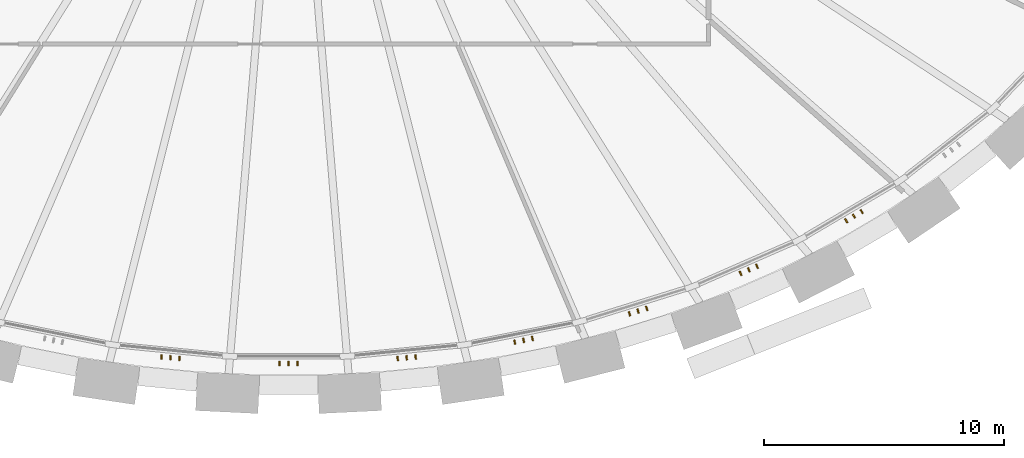
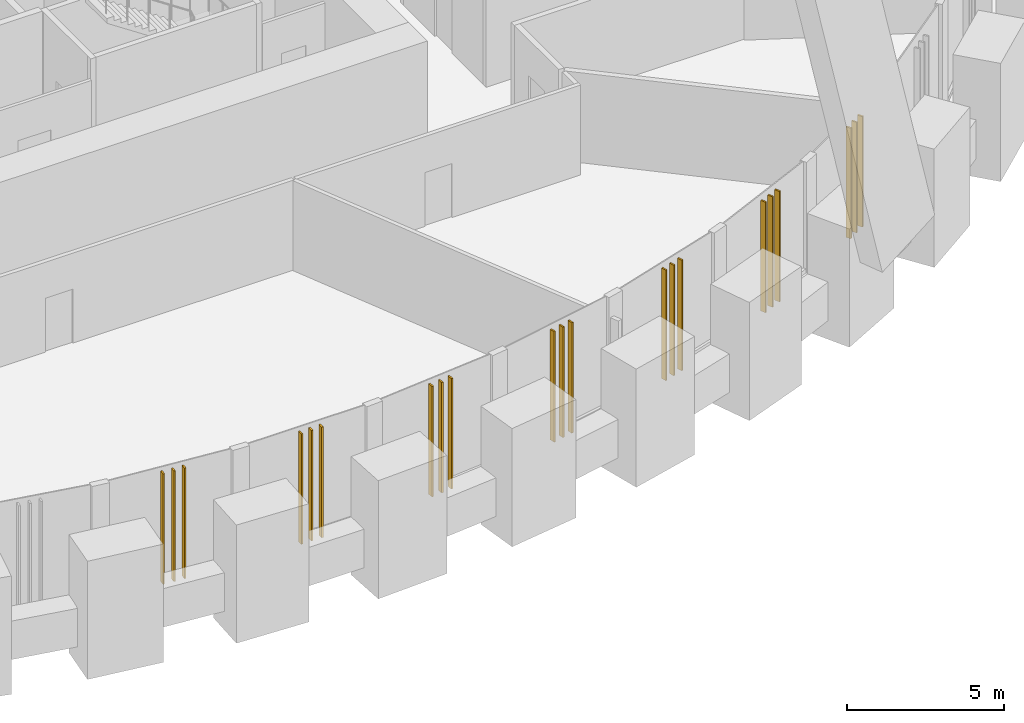
# One storey, part 13 of 21: 21 shading devices.
"""IFC4 building model written with IfcOpenShell, lengths in metres."""

import ifcopenshell
import ifcopenshell.guid

model = None  # the IFC model being written
_history = None  # IfcOwnerHistory: only IFC2X3 demands one
_inside = {}  # id of a spatial element -> (the spatial element, [elements in it])
_under = {}  # id of a project, library or spatial element -> (it, [spatial elements below it])
_declared = {}  # id of a project -> (the project, [libraries it declares])
_typed = {}  # id of a type object -> (the type object, [elements of that type])
_made_of = {}  # id of a material, layer set ... -> (it, [elements and type objects made of it])


def new_model(schema):
    """Start an empty IFC model of exactly this schema.

    Asked for "IFC4X3", IfcOpenShell would pick the latest addendum, in which some entities
    have other attributes; the version numbers below select the first issue.
    IFC2X3 requires an IfcOwnerHistory on every rooted entity: one is made here for all.
    """
    global model, _history
    if schema == "IFC4X3":
        model = ifcopenshell.file(schema_version=(4, 3, 0, 0))
    else:
        model = ifcopenshell.file(schema=schema)
    _inside.clear()
    _under.clear()
    _declared.clear()
    _typed.clear()
    _made_of.clear()
    _history = None
    if model.schema == "IFC2X3":
        org = make("IfcOrganization", Name="unknown")
        user = make(
            "IfcPersonAndOrganization",
            ThePerson=make("IfcPerson", FamilyName="unknown"),
            TheOrganization=org,
        )
        app = make(
            "IfcApplication",
            ApplicationDeveloper=org,
            Version="unknown",
            ApplicationFullName="unknown",
            ApplicationIdentifier="unknown",
        )
        _history = make(
            "IfcOwnerHistory",
            OwningUser=user,
            OwningApplication=app,
            ChangeAction="ADDED",
            CreationDate=0,
        )
    return model


def make(cls, **values):
    """One entity of the class cls with the attributes given. An attribute that is None is left unset."""
    return model.create_entity(
        cls, **{name: value for name, value in values.items() if value is not None}
    )


def rooted(cls, **values):
    """An entity with a GlobalId (a new one), such as an element, a storey or a relation."""
    return make(cls, GlobalId=ifcopenshell.guid.new(), OwnerHistory=_history, **values)


def si_unit(unit_type, name, prefix=None):
    """IfcSIUnit, for example si_unit("LENGTHUNIT", "METRE", prefix="MILLI")."""
    return make("IfcSIUnit", UnitType=unit_type, Prefix=prefix, Name=name)


def assignment(units):
    """IfcUnitAssignment: the units of a project."""
    return None if units is None else make("IfcUnitAssignment", Units=units)


def point(xyz):
    """IfcCartesianPoint."""
    return None if xyz is None else make("IfcCartesianPoint", Coordinates=xyz)


def direction(xyz):
    """IfcDirection."""
    return None if xyz is None else make("IfcDirection", DirectionRatios=xyz)


def frame(location, z_axis=None, x_axis=None):
    """IfcAxis2Placement3D, a coordinate frame: its origin and axes. An axis left out is left unset."""
    return make(
        "IfcAxis2Placement3D",
        Location=point(location),
        Axis=direction(z_axis),
        RefDirection=direction(x_axis),
    )


def frame_2d(location, x_axis=None):
    """IfcAxis2Placement2D, a coordinate frame in the plane: its origin and x axis."""
    return make(
        "IfcAxis2Placement2D", Location=point(location), RefDirection=direction(x_axis)
    )


def origin():
    """The frame at (0, 0, 0) with its axes left unset."""
    return frame((0.0, 0.0, 0.0))


def origin_2d():
    """The frame at (0, 0) in the plane with its x axis left unset."""
    return frame_2d((0.0, 0.0))


def place(relative_to, where):
    """IfcLocalPlacement: puts the frame where relative to a parent placement (None: the world)."""
    return make(
        "IfcLocalPlacement", PlacementRelTo=relative_to, RelativePlacement=where
    )


def context(
    kind, dimensions, precision=None, world=None, true_north=None, identifier=None
):
    """IfcGeometricRepresentationContext, for example the 3D "Model" context."""
    return make(
        "IfcGeometricRepresentationContext",
        ContextIdentifier=identifier,
        ContextType=kind,
        CoordinateSpaceDimension=dimensions,
        Precision=precision,
        WorldCoordinateSystem=world,
        TrueNorth=true_north,
    )


def subcontext(parent, identifier, kind, view, scale=None):
    """IfcGeometricRepresentationSubContext, for example "Body" below "Model"."""
    return make(
        "IfcGeometricRepresentationSubContext",
        ContextIdentifier=identifier,
        ContextType=kind,
        ParentContext=parent,
        TargetScale=scale,
        TargetView=view,
    )


def project(units=None, contexts=None):
    """IfcProject with its units and contexts."""
    return rooted(
        "IfcProject",
        Name="project",
        RepresentationContexts=contexts,
        UnitsInContext=assignment(units),
    )


def spatial(cls, under=None, at=None, **own):
    """A site, building, storey or space (cls), placed at a placement, below another one or the project."""
    s = rooted(cls, ObjectPlacement=at, **own)
    if under is not None:
        _under.setdefault(under.id(), (under, []))[1].append(s)
    return s


def profile(cls, at=None, kind="AREA", **sizes):
    """A parametric profile (cls). Its sizes go by their IFC names, for example OverallWidth=200.0."""
    return make(cls, ProfileType=kind, Position=at, **sizes)


def rectangle(**sizes):
    """IfcRectangleProfileDef."""
    return profile("IfcRectangleProfileDef", **sizes)


def extrude(swept, where, along, depth):
    """IfcExtrudedAreaSolid: the profile swept, set in the frame where, extruded along a direction by depth."""
    return make(
        "IfcExtrudedAreaSolid",
        SweptArea=swept,
        Position=where,
        ExtrudedDirection=direction(along),
        Depth=depth,
    )


def shape(context_of_items, identifier, shape_type, items):
    """IfcShapeRepresentation: the items that make up one representation, for example the "Body"."""
    return make(
        "IfcShapeRepresentation",
        ContextOfItems=context_of_items,
        RepresentationIdentifier=identifier,
        RepresentationType=shape_type,
        Items=items,
    )


def source(mapping_origin, context_of_items, identifier, shape_type, items):
    """IfcRepresentationMap: a shape defined once, which mapped items show again and again."""
    return make(
        "IfcRepresentationMap",
        MappingOrigin=mapping_origin,
        MappedRepresentation=shape(context_of_items, identifier, shape_type, items),
    )


def transform(
    local_origin,
    x_axis=None,
    y_axis=None,
    z_axis=None,
    scale=None,
    scale2=None,
    scale3=None,
    uniform=True,
):
    """IfcCartesianTransformationOperator3D, or its non-uniform kind. x_axis, y_axis, z_axis: its Axis1, 2, 3."""
    if uniform:
        return make(
            "IfcCartesianTransformationOperator3D",
            Axis1=direction(x_axis),
            Axis2=direction(y_axis),
            LocalOrigin=point(local_origin),
            Scale=scale,
            Axis3=direction(z_axis),
        )
    return make(
        "IfcCartesianTransformationOperator3DnonUniform",
        Axis1=direction(x_axis),
        Axis2=direction(y_axis),
        LocalOrigin=point(local_origin),
        Scale=scale,
        Axis3=direction(z_axis),
        Scale2=scale2,
        Scale3=scale3,
    )


def mapped(mapping_source, mapping_target):
    """IfcMappedItem: shows the shape of a source again, moved by a transform."""
    return make(
        "IfcMappedItem", MappingSource=mapping_source, MappingTarget=mapping_target
    )


def material(Name=None, Category=None):
    """IfcMaterial."""
    return make("IfcMaterial", Name=Name, Category=Category)


def material_profile(
    of_material, cross_section, Name=None, Category=None, Priority=None
):
    """IfcMaterialProfile: a cross section and its material."""
    return make(
        "IfcMaterialProfile",
        Name=Name,
        Material=of_material,
        Profile=cross_section,
        Priority=Priority,
        Category=Category,
    )


def profile_set(profiles, Name=None, composite=None):
    """IfcMaterialProfileSet."""
    return make(
        "IfcMaterialProfileSet",
        Name=Name,
        MaterialProfiles=profiles,
        CompositeProfile=composite,
    )


def made_of(thing, what):
    """Note that an element or type object is made of a material, layer set ...; save() writes the relation."""
    if what is not None:
        _made_of.setdefault(what.id(), (what, []))[1].append(thing)
    return thing


def type_object(cls, material=None, **own):
    """A type object (cls), such as IfcWallType, which elements share."""
    return made_of(rooted(cls, **own), material)


def element(
    cls,
    number,
    at=None,
    inside=None,
    cuts=None,
    type_object=None,
    material=None,
    context=None,
    identifier="Body",
    shape_type=None,
    held_by="IfcProductDefinitionShape",
    body=None,
    shapes=None,
    **own,
):
    """One element of the class cls, such as IfcWall. Its Tag is "e" and its number.

    at: its placement. inside: the storey or other place that contains it. cuts: it is an
    opening in that element (IfcRelVoidsElement). A single representation is given by context,
    identifier, shape_type and body (its items); several are given by shapes. held_by: the class
    of the entity that holds the representations. save() writes the other relations.
    """
    e = rooted(cls, Tag="e%d" % number, ObjectPlacement=at, **own)
    if body is not None:
        shapes = [shape(context, identifier, shape_type, body)]
    if shapes is not None:
        e.Representation = make(held_by, Representations=shapes)
    if inside is not None:
        _inside.setdefault(inside.id(), (inside, []))[1].append(e)
    if cuts is not None:
        rooted(
            "IfcRelVoidsElement", RelatingBuildingElement=cuts, RelatedOpeningElement=e
        )
    if type_object is not None:
        _typed.setdefault(type_object.id(), (type_object, []))[1].append(e)
    return made_of(e, material)


def aggregate(whole, parts):
    """IfcRelAggregates: a whole, such as a stair, and the parts it consists of."""
    return rooted("IfcRelAggregates", RelatingObject=whole, RelatedObjects=parts)


def save(model, path):
    """Write the relations noted so far, then the file.

    IfcRelAggregates (storeys below a building ...), IfcRelContainedInSpatialStructure (elements
    in a storey), IfcRelDefinesByType, IfcRelAssociatesMaterial and IfcRelDeclares: one each for
    every whole, place, type object, material and project.
    """
    for whole, parts in _under.values():
        aggregate(whole, parts)
    for where, things in _inside.values():
        rooted(
            "IfcRelContainedInSpatialStructure",
            RelatedElements=things,
            RelatingStructure=where,
        )
    for kind, things in _typed.values():
        rooted("IfcRelDefinesByType", RelatedObjects=things, RelatingType=kind)
    for what, things in _made_of.values():
        rooted("IfcRelAssociatesMaterial", RelatedObjects=things, RelatingMaterial=what)
    for by, libraries in _declared.values():
        rooted("IfcRelDeclares", RelatingContext=by, RelatedDefinitions=libraries)
    model.write(path)


model = new_model("IFC4")

# Units and contexts
model_context = context("Model", 3, precision=1e-05, world=origin(), true_north=direction((0.0, 1.0)))
body_context = subcontext(model_context, "Body", "Model", "MODEL_VIEW")
ifc_project = project(units=[si_unit("LENGTHUNIT", "METRE"), si_unit("AREAUNIT", "SQUARE_METRE"), si_unit("VOLUMEUNIT", "CUBIC_METRE"), si_unit("PLANEANGLEUNIT", "RADIAN"), si_unit("MASSUNIT", "GRAM", prefix="KILO")], contexts=[model_context])

# Site, building, storey
site_placement = place(None, origin())
site = spatial("IfcSite", under=ifc_project, at=site_placement, CompositionType="ELEMENT")
building_placement = place(site_placement, origin())
building = spatial("IfcBuilding", under=site, at=building_placement, Name="Embergate Tower", CompositionType="ELEMENT")
storey_placement = place(building_placement, frame((0.0, 0.0, 33.5)))
storey = spatial("IfcBuildingStorey", under=building, at=storey_placement, Name="L04", CompositionType="ELEMENT", Elevation=33.5)

# Shading devices
ifc_material = material(Name="Terracotta, extruded and glazed", Category="masonry")
ifc_material_profile = material_profile(ifc_material, rectangle(XDim=0.18994140625, YDim=0.06005859375, at=origin_2d()), Name="TC 190x60")
ifc_profile_set = profile_set([ifc_material_profile], Name="Terracotta, extruded and glazed")
shading_device_type = type_object("IfcShadingDeviceType", Name="Terracotta fin", PredefinedType="USERDEFINED", material=ifc_profile_set)
shared_shape = source(origin(), body_context, "Body", "SweptSolid", [
    extrude(rectangle(XDim=0.18994140625, YDim=0.06005859375, at=origin_2d()), origin(), (0.0, 0.0, 1.0), 4.300048828125),
])
for number, where, z_axis, x_axis, name in (
    (1, (-5.295166015625, -29.5390625, 0.0), (0.0, 0.0, 1.0), (0.09782781373, 0.995203355531, 0.0), "Fin 32.1"),
    (2, (-4.921142578125, -29.575927734375, 0.0), (0.0, 0.0, 1.0), (0.09782781373, 0.995203355531, 0.0), "Fin 32.2"),
    (3, (-4.54736328125, -29.612548828125, 0.0), (0.0, 0.0, 1.0), (0.09782781373, 0.995203355531, 0.0), "Fin 32.3"),
    (4, (-0.375732421875, -29.817138671875, 0.0), (0.0, 0.0, 1.0), (0.0, 1.0, 0.0), "Fin 33.1"),
    (5, (0.0, -29.817138671875, 0.0), (0.0, 0.0, 1.0), (0.0, 1.0, 0.0), "Fin 33.2"),
    (6, (0.375732421875, -29.817138671875, 0.0), (0.0, 0.0, 1.0), (0.0, 1.0, 0.0), "Fin 33.3"),
    (7, (4.54736328125, -29.612548828125, 0.0), (0.0, 0.0, 1.0), (-0.09782781373, 0.995203355531, 0.0), "Fin 34.1"),
    (8, (4.921142578125, -29.575927734375, 0.0), (0.0, 0.0, 1.0), (-0.09782781373, 0.995203355531, 0.0), "Fin 34.2"),
    (9, (5.295166015625, -29.5390625, 0.0), (0.0, 0.0, 1.0), (-0.09782781373, 0.995203355531, 0.0), "Fin 34.3"),
    (10, (9.42578125, -28.923583984375, 0.0), (0.0, 0.0, 1.0), (-0.196637539636, 0.980476250608, 0.0), "Fin 35.1"),
    (11, (9.7939453125, -28.849609375, 0.0), (0.0, 0.0, 1.0), (-0.196637539636, 0.980476250608, 0.0), "Fin 35.2"),
    (12, (10.162109375, -28.77587890625, 0.0), (0.0, 0.0, 1.0), (-0.196637539636, 0.980476250608, 0.0), "Fin 35.3"),
    (13, (14.20849609375, -27.742919921875, 0.0), (0.0, 0.0, 1.0), (-0.297336547283, 0.954772736126, 0.0), "Fin 36.1"),
    (14, (14.56640625, -27.631591796875, 0.0), (0.0, 0.0, 1.0), (-0.297336547283, 0.954772736126, 0.0), "Fin 36.2"),
    (15, (14.92431640625, -27.52001953125, 0.0), (0.0, 0.0, 1.0), (-0.297336547283, 0.954772736126, 0.0), "Fin 36.3"),
    (16, (18.8369140625, -26.060546875, 0.0), (0.0, 0.0, 1.0), (-0.400636896638, 0.916236910986, 0.0), "Fin 37.1"),
    (17, (19.179443359375, -25.910888671875, 0.0), (0.0, 0.0, 1.0), (-0.400636896638, 0.916236910986, 0.0), "Fin 37.2"),
    (18, (19.52197265625, -25.760986328125, 0.0), (0.0, 0.0, 1.0), (-0.400636896638, 0.916236910986, 0.0), "Fin 37.3"),
    (19, (23.2412109375, -23.863037109375, 0.0), (0.0, 0.0, 1.0), (-0.506814843614, 0.862054936934, 0.0), "Fin 38.1"),
    (20, (23.5625, -23.67431640625, 0.0), (0.0, 0.0, 1.0), (-0.506814843614, 0.862054936934, 0.0), "Fin 38.2"),
    (21, (23.8837890625, -23.4853515625, 0.0), (0.0, 0.0, 1.0), (-0.506814843614, 0.862054936934, 0.0), "Fin 38.3"),
):
    element("IfcShadingDevice", number, at=place(storey_placement, frame(where, z_axis=z_axis, x_axis=x_axis)), inside=storey, type_object=shading_device_type, Name=name, ObjectType="FIN", PredefinedType="USERDEFINED", context=body_context, shape_type="MappedRepresentation", body=[
        mapped(shared_shape, transform((0.0, 0.0, 0.0))),
    ])

save(model, "model.ifc")
